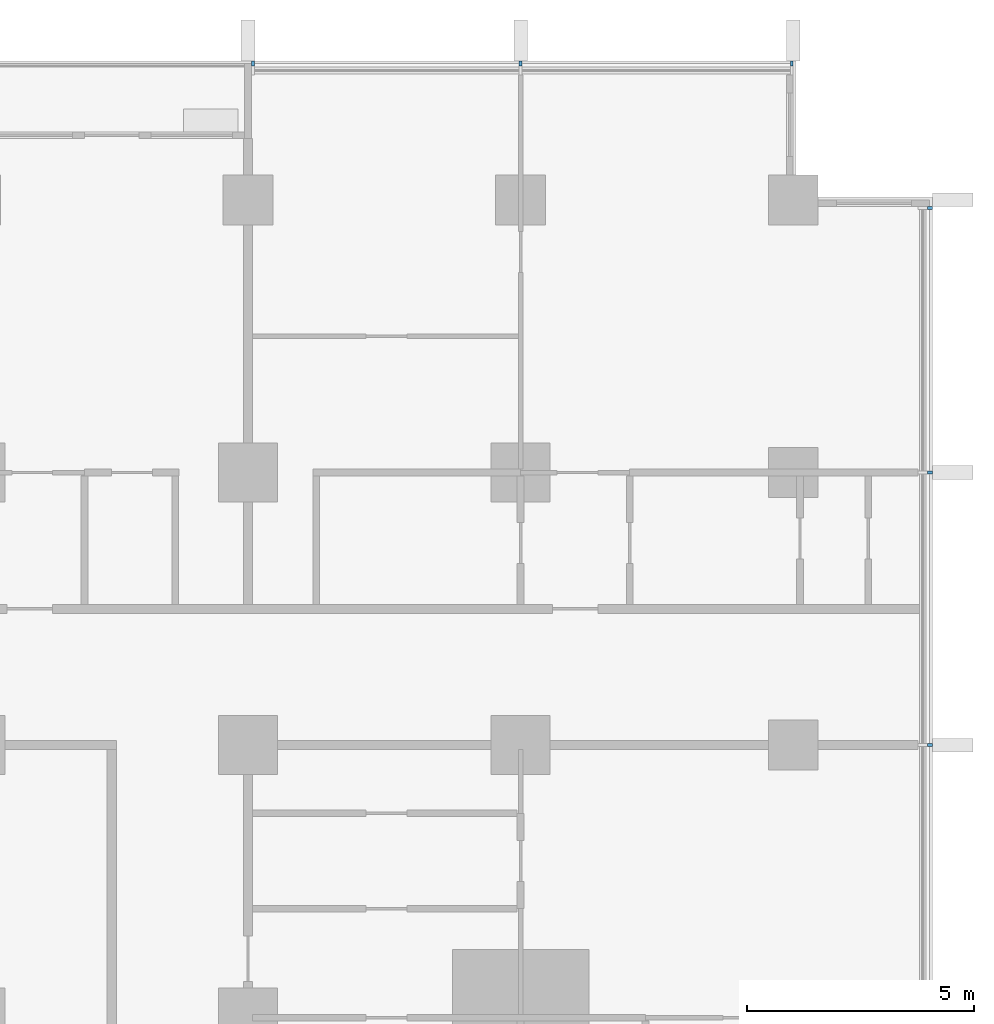
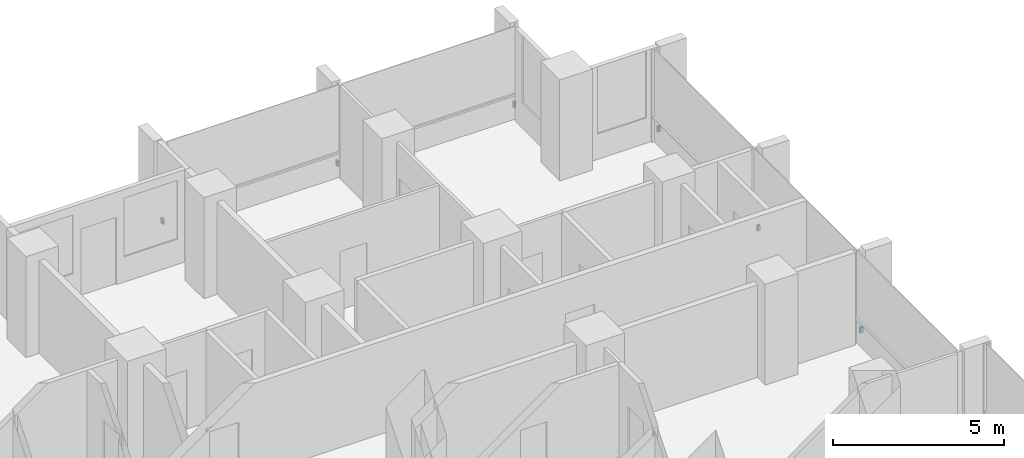
# One storey, part 17 of 18: 6 discrete accessories.
"""IFC4 building model written with IfcOpenShell, lengths in metres."""

from ifc_helpers import new_model, si_unit, direction, frame, origin, origin_2d, place, context, subcontext, project, spatial, rectangle, extrude, material, type_object, element, save


model = new_model("IFC4")

# Units and contexts
model_context = context("Model", 3, precision=1e-05, world=origin(), true_north=direction((0.0, 1.0)))
body_context = subcontext(model_context, "Body", "Model", "MODEL_VIEW")
ifc_project = project(units=[si_unit("LENGTHUNIT", "METRE"), si_unit("AREAUNIT", "SQUARE_METRE"), si_unit("VOLUMEUNIT", "CUBIC_METRE"), si_unit("PLANEANGLEUNIT", "RADIAN"), si_unit("MASSUNIT", "GRAM", prefix="KILO")], contexts=[model_context])

# Site, building, storey
site_placement = place(None, origin())
site = spatial("IfcSite", under=ifc_project, at=site_placement, CompositionType="ELEMENT")
building_placement = place(site_placement, origin())
building = spatial("IfcBuilding", under=site, at=building_placement, Name="Finial Court Residences", CompositionType="ELEMENT")
storey_placement = place(building_placement, frame((0.0, 0.0, 39.699951171875)))
storey = spatial("IfcBuildingStorey", under=building, at=storey_placement, Name="L08", CompositionType="ELEMENT", Elevation=39.699951171875)

# Discrete accessories
ifc_material = material(Name="Stainless steel 316", Category="steel")
discrete_accessory_type = type_object("IfcDiscreteAccessoryType", Name="Fin bracket, stainless steel 65 x 110 x 200", PredefinedType="BRACKET", material=ifc_material)
for number, where, z_axis, x_axis, name in (
    (1, (10.607421875, 28.5048828125, 0.30029296875), (0.0, 0.0, 1.0), (1.0, 0.0, 0.0), "E-L08-FIN-N6-BRK"),
    (2, (16.5, 28.5048828125, 0.30029296875), (0.0, 0.0, 1.0), (1.0, 0.0, 0.0), "E-L08-FIN-N7-BRK"),
    (3, (22.467529296875, 28.5048828125, 0.30029296875), (0.0, 0.0, 1.0), (1.0, 0.0, 0.0), "E-L08-FIN-N8-BRK"),
):
    element("IfcDiscreteAccessory", number, at=place(storey_placement, frame(where, z_axis=z_axis, x_axis=x_axis)), inside=storey, type_object=discrete_accessory_type, Name=name, PredefinedType="BRACKET", context=body_context, shape_type="SweptSolid", body=[
        extrude(rectangle(XDim=0.06494140625, YDim=0.110107421875, at=origin_2d()), origin(), (0.0, 0.0, 1.0), 0.199951171875),
    ])
for number, where, z_axis, x_axis, name in (
    (4, (25.5048828125, 13.5, 0.30029296875), (0.0, 0.0, 1.0), (1.0, 0.0, 0.0), "E-L08-FIN-E14-BRK"),
    (5, (25.5048828125, 19.5, 0.30029296875), (0.0, 0.0, 1.0), (1.0, 0.0, 0.0), "E-L08-FIN-E15-BRK"),
    (6, (25.5048828125, 25.3173828125, 0.30029296875), (0.0, 0.0, 1.0), (1.0, 0.0, 0.0), "E-L08-FIN-E16-BRK"),
):
    element("IfcDiscreteAccessory", number, at=place(storey_placement, frame(where, z_axis=z_axis, x_axis=x_axis)), inside=storey, type_object=discrete_accessory_type, Name=name, PredefinedType="BRACKET", context=body_context, shape_type="SweptSolid", body=[
        extrude(rectangle(XDim=0.110107421875, YDim=0.06494140625, at=origin_2d()), origin(), (0.0, 0.0, 1.0), 0.199951171875),
    ])

save(model, "model.ifc")
